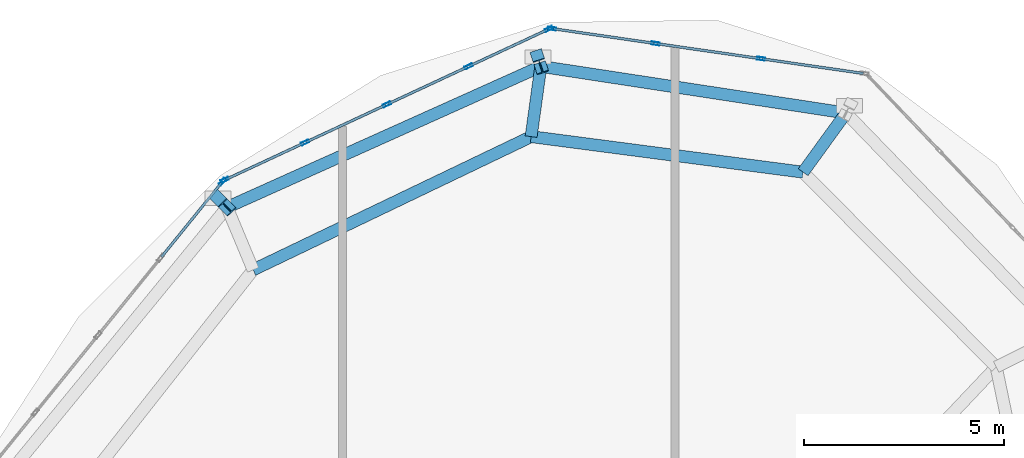
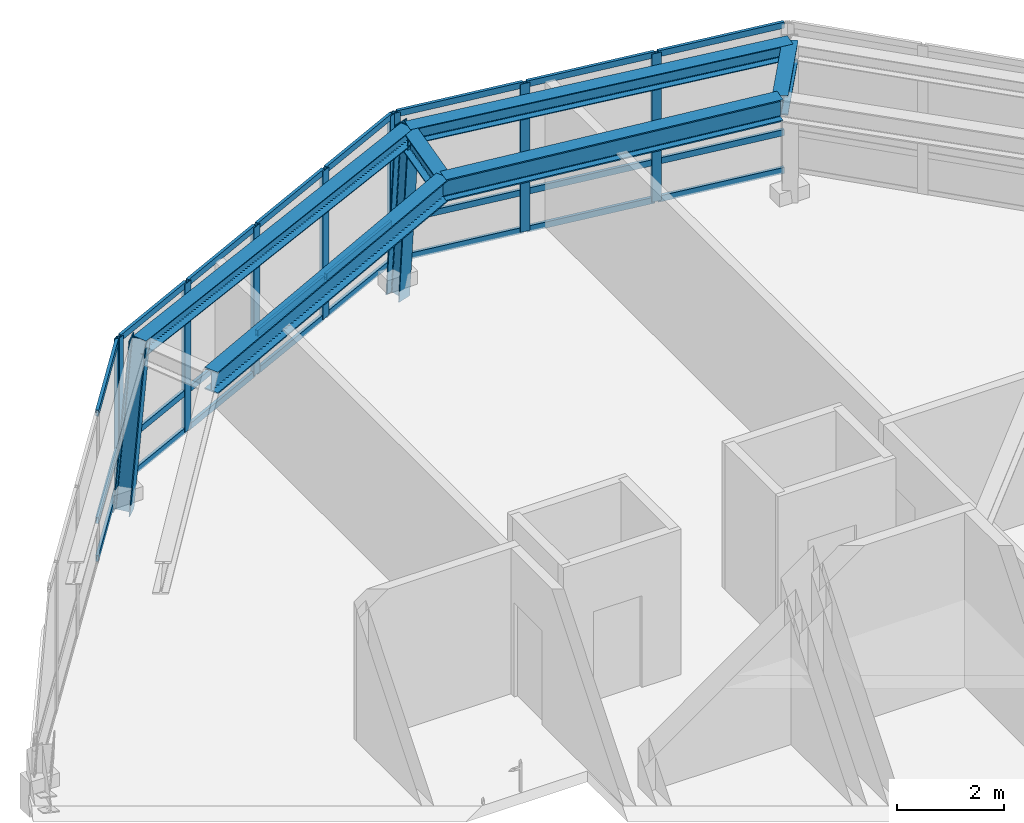
# One storey, part 9 of 14: 35 members, 6 beams, 3 elements without a shape of their own.
"""IFC4 building model written with IfcOpenShell, lengths in metres."""

from ifc_helpers import new_model, si_unit, direction, frame, origin, origin_2d, place, context, subcontext, project, spatial, hollow_rectangle, i_section, extrude, material, layer, layer_set, material_profile, profile_set, type_object, element, aggregate, save


model = new_model("IFC4")

# Units and contexts
model_context = context("Model", 3, precision=1e-05, world=origin(), true_north=direction((0.0, 1.0)))
body_context = subcontext(model_context, "Body", "Model", "MODEL_VIEW")
ifc_project = project(units=[si_unit("LENGTHUNIT", "METRE"), si_unit("AREAUNIT", "SQUARE_METRE"), si_unit("VOLUMEUNIT", "CUBIC_METRE"), si_unit("PLANEANGLEUNIT", "RADIAN"), si_unit("MASSUNIT", "GRAM", prefix="KILO"), si_unit("THERMODYNAMICTEMPERATUREUNIT", "KELVIN"), si_unit("POWERUNIT", "WATT")], contexts=[model_context])

# Site, building, storey
site_placement = place(None, origin())
site = spatial("IfcSite", under=ifc_project, at=site_placement, CompositionType="ELEMENT")
building_placement = place(site_placement, origin())
building = spatial("IfcBuilding", under=site, at=building_placement, Name="Ocrelia Relay Tower", CompositionType="ELEMENT")
storey_placement = place(building_placement, frame((0.0, 0.0, 288.0)))
storey = spatial("IfcBuildingStorey", under=building, at=storey_placement, Name="L72", CompositionType="ELEMENT", Elevation=288.0)

# Beams
ifc_material_1 = material(Name="Steel S355", Category="steel")
ifc_material_profile_1 = material_profile(ifc_material_1, i_section(OverallWidth=0.300048828125, OverallDepth=0.35009765625, WebThickness=0.010009765625, FlangeThickness=0.017578125, FilletRadius=0.027099609375, at=origin_2d()), Name="HEA 360")
ifc_profile_set_1 = profile_set([ifc_material_profile_1], Name="Steel S355")
beam_type_1 = type_object("IfcBeamType", Name="BM-HEA360", PredefinedType="SPANDREL", material=ifc_profile_set_1)
beam_1_placement = place(storey_placement, frame((42.416259765625, 42.30615234375, 3.574951171875), z_axis=(-0.988525084657, 0.151056800586, 0.0), x_axis=(-0.151056800586, -0.988525084657, 0.0)))
element("IfcBeam", 1, at=beam_1_placement, inside=storey, type_object=beam_type_1, Name="L72 Crown Faceted Ring Beam R01", PredefinedType="SPANDREL", context=body_context, shape_type="SweptSolid", body=[
    extrude(i_section(OverallWidth=0.300048828125, OverallDepth=0.35009765625, WebThickness=0.010009765625, FlangeThickness=0.017578125, FilletRadius=0.027099609375, at=origin_2d()), origin(), (0.0, 0.0, 1.0), 7.702880859375),
])
beam_2_placement = place(storey_placement, frame((34.8017578125, 43.4697265625, 3.574951171875), z_axis=(-0.9121666928, -0.409819380394, 0.0), x_axis=(0.409819380394, -0.9121666928, 0.0)))
element("IfcBeam", 2, at=beam_2_placement, inside=storey, type_object=beam_type_1, Name="L72 Crown Faceted Ring Beam R02", PredefinedType="SPANDREL", context=body_context, shape_type="SweptSolid", body=[
    extrude(i_section(OverallWidth=0.300048828125, OverallDepth=0.35009765625, WebThickness=0.010009765625, FlangeThickness=0.017578125, FilletRadius=0.027099609375, at=origin_2d()), origin(), (0.0, 0.0, 1.0), 8.583251953125),
])
ifc_material_profile_2 = material_profile(ifc_material_1, i_section(OverallWidth=0.300048828125, OverallDepth=0.449951171875, WebThickness=0.013916015625, FlangeThickness=0.02587890625, FilletRadius=0.027099609375, at=origin_2d()), Name="HEB 450")
ifc_profile_set_2 = profile_set([ifc_material_profile_2], Name="Steel S355")
beam_type_2 = type_object("IfcBeamType", Name="BM-HEB450", PredefinedType="BEAM", material=ifc_profile_set_2)
beam_3_placement = place(storey_placement, frame((42.416259765625, 42.30615234375, 3.52490234375), z_axis=(-0.587176008063, -0.809459285916, 0.0), x_axis=(0.809459285916, -0.587176008063, 0.0)))
element("IfcBeam", 3, at=beam_3_placement, inside=storey, type_object=beam_type_2, Name="L72 Crown Step Radial Beam ST01", PredefinedType="BEAM", context=body_context, shape_type="SweptSolid", body=[
    extrude(i_section(OverallWidth=0.300048828125, OverallDepth=0.449951171875, WebThickness=0.013916015625, FlangeThickness=0.02587890625, FilletRadius=0.027099609375, at=origin_2d()), origin(), (0.0, 0.0, 1.0), 1.8232421875),
])
beam_4_placement = place(storey_placement, frame((34.8017578125, 43.4697265625, 3.52490234375), z_axis=(-0.137053053163, -0.990563708511, 0.0), x_axis=(0.990563708511, -0.137053053163, 0.0)))
element("IfcBeam", 4, at=beam_4_placement, inside=storey, type_object=beam_type_2, Name="L72 Crown Step Radial Beam ST02", PredefinedType="BEAM", context=body_context, shape_type="SweptSolid", body=[
    extrude(i_section(OverallWidth=0.300048828125, OverallDepth=0.449951171875, WebThickness=0.013916015625, FlangeThickness=0.02587890625, FilletRadius=0.027099609375, at=origin_2d()), origin(), (0.0, 0.0, 1.0), 1.768798828125),
])
ifc_material_profile_3 = material_profile(ifc_material_1, i_section(OverallWidth=0.300048828125, OverallDepth=0.5, WebThickness=0.014404296875, FlangeThickness=0.028076171875, FilletRadius=0.027099609375, at=origin_2d()), Name="HEB 500")
ifc_profile_set_3 = profile_set([ifc_material_profile_3], Name="Steel S355")
beam_type_3 = type_object("IfcBeamType", Name="BM-HEB500", PredefinedType="BEAM", material=ifc_profile_set_3)
beam_5_placement = place(storey_placement, frame((41.345703125, 40.830322265625, 3.5), z_axis=(-0.991562376205, 0.129630452032, 0.0), x_axis=(-0.129630452032, -0.991562376205, 0.0)))
element("IfcBeam", 5, at=beam_5_placement, inside=storey, type_object=beam_type_3, Name="L72 Crown Step Perimeter Ring Beam SR01", PredefinedType="BEAM", context=body_context, shape_type="SweptSolid", body=[
    extrude(i_section(OverallWidth=0.300048828125, OverallDepth=0.5, WebThickness=0.014404296875, FlangeThickness=0.028076171875, FilletRadius=0.027099609375, at=origin_2d()), origin(), (0.0, 0.0, 1.0), 6.84423828125),
])
beam_6_placement = place(storey_placement, frame((34.559326171875, 41.717529296875, 3.5), z_axis=(-0.901774021488, -0.432207836775, 0.0), x_axis=(0.432207836775, -0.901774021488, 0.0)))
element("IfcBeam", 6, at=beam_6_placement, inside=storey, type_object=beam_type_3, Name="L72 Crown Step Perimeter Ring Beam SR02", PredefinedType="BEAM", context=body_context, shape_type="SweptSolid", body=[
    extrude(i_section(OverallWidth=0.300048828125, OverallDepth=0.5, WebThickness=0.014404296875, FlangeThickness=0.028076171875, FilletRadius=0.027099609375, at=origin_2d()), origin(), (0.0, 0.0, 1.0), 7.69189453125),
])

# Curtain wall, members
ifc_material_2 = material(Name="Aluminium and solar-control low-E glass", Category="aluminium")
ifc_layer = layer(ifc_material_2, 0.179931640625, Name="Aluminium and solar-control low-E glass")
ifc_layer_set = layer_set([ifc_layer], Name="Aluminium and solar-control low-E glass")
curtain_wall_type = type_object("IfcCurtainWallType", Name="CW-SYS-CROWN-PT", PredefinedType="NOTDEFINED", material=ifc_layer_set)
curtain_wall_1_placement = place(storey_placement, origin())
curtain_wall_1 = element("IfcCurtainWall", 7, at=curtain_wall_1_placement, inside=storey, type_object=curtain_wall_type, Name="L72 Faceted Glass-Point Crown Curtain Wall 01", PredefinedType="NOTDEFINED")
ifc_material_3 = material(Name="Anodised bronze aluminium", Category="aluminium")
ifc_material_profile_4 = material_profile(ifc_material_3, hollow_rectangle(XDim=0.074951171875, YDim=0.199951171875, WallThickness=0.006103515625, at=origin_2d()), Name="CW-MUL-200x75")
ifc_profile_set_4 = profile_set([ifc_material_profile_4], Name="Anodised bronze aluminium")
member_type_1 = type_object("IfcMemberType", Name="CW-SYS-CROWN-PT-MUL", PredefinedType="MULLION", material=ifc_profile_set_4)
member_1_placement = place(storey_placement, frame((40.29345703125, 43.662109375, 0.0), z_axis=(0.0, 0.0, 1.0), x_axis=(-0.142627266665, -0.989776471131, 0.0)))
member_1 = element("IfcMember", 8, at=member_1_placement, type_object=member_type_1, Name="CW-CR mullion 2", PredefinedType="MULLION", context=body_context, shape_type="SweptSolid", body=[
    extrude(hollow_rectangle(XDim=0.074951171875, YDim=0.199951171875, WallThickness=0.006103515625, at=origin_2d()), origin(), (0.0, 0.0, 1.0), 3.389892578125),
])
member_2_placement = place(storey_placement, frame((37.666015625, 44.040771484375, 0.0), z_axis=(0.0, 0.0, 1.0), x_axis=(-0.142627266665, -0.989776471131, 0.0)))
member_2 = element("IfcMember", 9, at=member_2_placement, type_object=member_type_1, Name="CW-CR mullion 3", PredefinedType="MULLION", context=body_context, shape_type="SweptSolid", body=[
    extrude(hollow_rectangle(XDim=0.074951171875, YDim=0.199951171875, WallThickness=0.006103515625, at=origin_2d()), origin(), (0.0, 0.0, 1.0), 3.389892578125),
])
member_3_placement = place(storey_placement, frame((35.075927734375, 44.4140625, 0.0), z_axis=(0.0, 0.0, 1.0), x_axis=(-0.142627266665, -0.989776471131, 0.0)))
member_3 = element("IfcMember", 10, at=member_3_placement, type_object=member_type_1, Name="CW-CR mullion 4", PredefinedType="MULLION", context=body_context, shape_type="SweptSolid", body=[
    extrude(hollow_rectangle(XDim=0.074951171875, YDim=0.199951171875, WallThickness=0.006103515625, at=origin_2d()), origin(), (0.0, 0.0, 1.0), 3.389892578125),
])

curtain_wall_2_placement = place(storey_placement, origin())
curtain_wall_2 = element("IfcCurtainWall", 11, at=curtain_wall_2_placement, inside=storey, type_object=curtain_wall_type, Name="L72 Faceted Glass-Point Crown Curtain Wall 02", PredefinedType="NOTDEFINED")
member_4_placement = place(storey_placement, frame((35.004638671875, 44.403564453125, 0.0), z_axis=(0.0, 0.0, 1.0), x_axis=(0.422115373786, -0.906542117727, 0.0)))
member_4 = element("IfcMember", 12, at=member_4_placement, type_object=member_type_1, Name="CW-CR mullion 1", PredefinedType="MULLION", context=body_context, shape_type="SweptSolid", body=[
    extrude(hollow_rectangle(XDim=0.074951171875, YDim=0.199951171875, WallThickness=0.006103515625, at=origin_2d()), origin(), (0.0, 0.0, 1.0), 3.389892578125),
])
member_5_placement = place(storey_placement, frame((32.99853515625, 43.469482421875, 0.0), z_axis=(0.0, 0.0, 1.0), x_axis=(0.422115373786, -0.906542117727, 0.0)))
member_5 = element("IfcMember", 13, at=member_5_placement, type_object=member_type_1, Name="CW-CR mullion 2", PredefinedType="MULLION", context=body_context, shape_type="SweptSolid", body=[
    extrude(hollow_rectangle(XDim=0.074951171875, YDim=0.199951171875, WallThickness=0.006103515625, at=origin_2d()), origin(), (0.0, 0.0, 1.0), 3.389892578125),
])
member_6_placement = place(storey_placement, frame((30.95849609375, 42.51953125, 0.0), z_axis=(0.0, 0.0, 1.0), x_axis=(0.422115373786, -0.906542117727, 0.0)))
member_6 = element("IfcMember", 14, at=member_6_placement, type_object=member_type_1, Name="CW-CR mullion 3", PredefinedType="MULLION", context=body_context, shape_type="SweptSolid", body=[
    extrude(hollow_rectangle(XDim=0.074951171875, YDim=0.199951171875, WallThickness=0.006103515625, at=origin_2d()), origin(), (0.0, 0.0, 1.0), 3.389892578125),
])
member_7_placement = place(storey_placement, frame((28.91845703125, 41.569580078125, 0.0), z_axis=(0.0, 0.0, 1.0), x_axis=(0.422115373786, -0.906542117727, 0.0)))
member_7 = element("IfcMember", 15, at=member_7_placement, type_object=member_type_1, Name="CW-CR mullion 4", PredefinedType="MULLION", context=body_context, shape_type="SweptSolid", body=[
    extrude(hollow_rectangle(XDim=0.074951171875, YDim=0.199951171875, WallThickness=0.006103515625, at=origin_2d()), origin(), (0.0, 0.0, 1.0), 3.389892578125),
])
member_8_placement = place(storey_placement, frame((26.912353515625, 40.635498046875, 0.0), z_axis=(0.0, 0.0, 1.0), x_axis=(0.422115373786, -0.906542117727, 0.0)))
member_8 = element("IfcMember", 16, at=member_8_placement, type_object=member_type_1, Name="CW-CR mullion 5", PredefinedType="MULLION", context=body_context, shape_type="SweptSolid", body=[
    extrude(hollow_rectangle(XDim=0.074951171875, YDim=0.199951171875, WallThickness=0.006103515625, at=origin_2d()), origin(), (0.0, 0.0, 1.0), 3.389892578125),
])

# Curtain wall, member
curtain_wall_3_placement = place(storey_placement, origin())
curtain_wall_3 = element("IfcCurtainWall", 17, at=curtain_wall_3_placement, inside=storey, type_object=curtain_wall_type, Name="L72 Faceted Glass-Point Crown Curtain Wall 03", PredefinedType="NOTDEFINED")
member_9_placement = place(storey_placement, frame((26.854736328125, 40.590576171875, 0.0), z_axis=(0.0, 0.0, 1.0), x_axis=(0.776998377229, -0.629502598711, 0.0)))
member_9 = element("IfcMember", 18, at=member_9_placement, type_object=member_type_1, Name="CW-CR mullion 1", PredefinedType="MULLION", context=body_context, shape_type="SweptSolid", body=[
    extrude(hollow_rectangle(XDim=0.074951171875, YDim=0.199951171875, WallThickness=0.006103515625, at=origin_2d()), origin(), (0.0, 0.0, 1.0), 3.389892578125),
])

# Member
ifc_material_profile_5 = material_profile(ifc_material_3, hollow_rectangle(XDim=0.06494140625, YDim=0.139892578125, WallThickness=0.0048828125, at=origin_2d()), Name="CW-TRN-140x65")
ifc_profile_set_5 = profile_set([ifc_material_profile_5], Name="Anodised bronze aluminium")
member_type_2 = type_object("IfcMemberType", Name="CW-SYS-CROWN-PT-TRN", PredefinedType="USERDEFINED", material=ifc_profile_set_5)
member_10_placement = place(storey_placement, frame((42.846435546875, 43.294189453125, 0.032470703125), z_axis=(-0.989775867312, 0.142631456862, 0.0), x_axis=(-0.142631456862, -0.989775867312, 0.0)))
member_10 = element("IfcMember", 19, at=member_10_placement, type_object=member_type_2, Name="CW-CR transom 1.1", ObjectType="TRANSOM", PredefinedType="USERDEFINED", context=body_context, shape_type="SweptSolid", body=[
    extrude(hollow_rectangle(XDim=0.06494140625, YDim=0.139892578125, WallThickness=0.0048828125, at=origin_2d()), origin(), (0.0, 0.0, 1.0), 2.541748046875),
])

member_11_placement = place(storey_placement, frame((42.846435546875, 43.294189453125, 0.89990234375), z_axis=(-0.989775867312, 0.142631456862, 0.0), x_axis=(-0.142631456862, -0.989775867312, 0.0)))
member_11 = element("IfcMember", 20, at=member_11_placement, type_object=member_type_2, Name="CW-CR transom 1.2", ObjectType="TRANSOM", PredefinedType="USERDEFINED", context=body_context, shape_type="SweptSolid", body=[
    extrude(hollow_rectangle(XDim=0.06494140625, YDim=0.139892578125, WallThickness=0.0048828125, at=origin_2d()), origin(), (0.0, 0.0, 1.0), 2.541748046875),
])

member_12_placement = place(storey_placement, frame((42.846435546875, 43.294189453125, 3.357421875), z_axis=(-0.989775867312, 0.142631456862, 0.0), x_axis=(-0.142631456862, -0.989775867312, 0.0)))
member_12 = element("IfcMember", 21, at=member_12_placement, type_object=member_type_2, Name="CW-CR transom 1.3", ObjectType="TRANSOM", PredefinedType="USERDEFINED", context=body_context, shape_type="SweptSolid", body=[
    extrude(hollow_rectangle(XDim=0.06494140625, YDim=0.139892578125, WallThickness=0.0048828125, at=origin_2d()), origin(), (0.0, 0.0, 1.0), 2.541748046875),
])

member_13_placement = place(storey_placement, frame((40.25634765625, 43.66748046875, 0.032470703125), z_axis=(-0.989776509099, 0.142627003176, 0.0), x_axis=(-0.142627003176, -0.989776509099, 0.0)))
member_13 = element("IfcMember", 22, at=member_13_placement, type_object=member_type_2, Name="CW-CR transom 2.1", ObjectType="TRANSOM", PredefinedType="USERDEFINED", context=body_context, shape_type="SweptSolid", body=[
    extrude(hollow_rectangle(XDim=0.06494140625, YDim=0.139892578125, WallThickness=0.0048828125, at=origin_2d()), origin(), (0.0, 0.0, 1.0), 2.57958984375),
])

member_14_placement = place(storey_placement, frame((40.25634765625, 43.66748046875, 0.89990234375), z_axis=(-0.989776509099, 0.142627003176, 0.0), x_axis=(-0.142627003176, -0.989776509099, 0.0)))
member_14 = element("IfcMember", 23, at=member_14_placement, type_object=member_type_2, Name="CW-CR transom 2.2", ObjectType="TRANSOM", PredefinedType="USERDEFINED", context=body_context, shape_type="SweptSolid", body=[
    extrude(hollow_rectangle(XDim=0.06494140625, YDim=0.139892578125, WallThickness=0.0048828125, at=origin_2d()), origin(), (0.0, 0.0, 1.0), 2.57958984375),
])

member_15_placement = place(storey_placement, frame((40.25634765625, 43.66748046875, 3.357421875), z_axis=(-0.989776509099, 0.142627003176, 0.0), x_axis=(-0.142627003176, -0.989776509099, 0.0)))
member_15 = element("IfcMember", 24, at=member_15_placement, type_object=member_type_2, Name="CW-CR transom 2.3", ObjectType="TRANSOM", PredefinedType="USERDEFINED", context=body_context, shape_type="SweptSolid", body=[
    extrude(hollow_rectangle(XDim=0.06494140625, YDim=0.139892578125, WallThickness=0.0048828125, at=origin_2d()), origin(), (0.0, 0.0, 1.0), 2.57958984375),
])

member_16_placement = place(storey_placement, frame((37.62890625, 44.046142578125, 0.032470703125), z_axis=(-0.989775867312, 0.142631456862, 0.0), x_axis=(-0.142631456862, -0.989775867312, 0.0)))
member_16 = element("IfcMember", 25, at=member_16_placement, type_object=member_type_2, Name="CW-CR transom 3.1", ObjectType="TRANSOM", PredefinedType="USERDEFINED", context=body_context, shape_type="SweptSolid", body=[
    extrude(hollow_rectangle(XDim=0.06494140625, YDim=0.139892578125, WallThickness=0.0048828125, at=origin_2d()), origin(), (0.0, 0.0, 1.0), 2.541748046875),
])

member_17_placement = place(storey_placement, frame((37.62890625, 44.046142578125, 0.89990234375), z_axis=(-0.989775867312, 0.142631456862, 0.0), x_axis=(-0.142631456862, -0.989775867312, 0.0)))
member_17 = element("IfcMember", 26, at=member_17_placement, type_object=member_type_2, Name="CW-CR transom 3.2", ObjectType="TRANSOM", PredefinedType="USERDEFINED", context=body_context, shape_type="SweptSolid", body=[
    extrude(hollow_rectangle(XDim=0.06494140625, YDim=0.139892578125, WallThickness=0.0048828125, at=origin_2d()), origin(), (0.0, 0.0, 1.0), 2.541748046875),
])

member_18_placement = place(storey_placement, frame((37.62890625, 44.046142578125, 3.357421875), z_axis=(-0.989775867312, 0.142631456862, 0.0), x_axis=(-0.142631456862, -0.989775867312, 0.0)))
member_18 = element("IfcMember", 27, at=member_18_placement, type_object=member_type_2, Name="CW-CR transom 3.3", ObjectType="TRANSOM", PredefinedType="USERDEFINED", context=body_context, shape_type="SweptSolid", body=[
    extrude(hollow_rectangle(XDim=0.06494140625, YDim=0.139892578125, WallThickness=0.0048828125, at=origin_2d()), origin(), (0.0, 0.0, 1.0), 2.541748046875),
])

aggregate(curtain_wall_1, [member_1, member_2, member_3, member_10, member_11, member_12, member_13, member_14, member_15, member_16, member_17, member_18])

member_19_placement = place(storey_placement, frame((34.970703125, 44.3876953125, 0.032470703125), z_axis=(-0.906550417388, -0.422097548837, 0.0), x_axis=(0.422097548837, -0.906550417388, 0.0)))
member_19 = element("IfcMember", 28, at=member_19_placement, type_object=member_type_2, Name="CW-CR transom 1.1", ObjectType="TRANSOM", PredefinedType="USERDEFINED", context=body_context, shape_type="SweptSolid", body=[
    extrude(hollow_rectangle(XDim=0.06494140625, YDim=0.139892578125, WallThickness=0.0048828125, at=origin_2d()), origin(), (0.0, 0.0, 1.0), 2.1376953125),
])

member_20_placement = place(storey_placement, frame((34.970703125, 44.3876953125, 0.89990234375), z_axis=(-0.906550417388, -0.422097548837, 0.0), x_axis=(0.422097548837, -0.906550417388, 0.0)))
member_20 = element("IfcMember", 29, at=member_20_placement, type_object=member_type_2, Name="CW-CR transom 1.2", ObjectType="TRANSOM", PredefinedType="USERDEFINED", context=body_context, shape_type="SweptSolid", body=[
    extrude(hollow_rectangle(XDim=0.06494140625, YDim=0.139892578125, WallThickness=0.0048828125, at=origin_2d()), origin(), (0.0, 0.0, 1.0), 2.1376953125),
])

member_21_placement = place(storey_placement, frame((34.970703125, 44.3876953125, 3.357421875), z_axis=(-0.906550417388, -0.422097548837, 0.0), x_axis=(0.422097548837, -0.906550417388, 0.0)))
member_21 = element("IfcMember", 30, at=member_21_placement, type_object=member_type_2, Name="CW-CR transom 1.3", ObjectType="TRANSOM", PredefinedType="USERDEFINED", context=body_context, shape_type="SweptSolid", body=[
    extrude(hollow_rectangle(XDim=0.06494140625, YDim=0.139892578125, WallThickness=0.0048828125, at=origin_2d()), origin(), (0.0, 0.0, 1.0), 2.1376953125),
])

member_22_placement = place(storey_placement, frame((32.964599609375, 43.45361328125, 0.032470703125), z_axis=(-0.906558369714, -0.422080468989, 0.0), x_axis=(0.422080468989, -0.906558369714, 0.0)))
member_22 = element("IfcMember", 31, at=member_22_placement, type_object=member_type_2, Name="CW-CR transom 2.1", ObjectType="TRANSOM", PredefinedType="USERDEFINED", context=body_context, shape_type="SweptSolid", body=[
    extrude(hollow_rectangle(XDim=0.06494140625, YDim=0.139892578125, WallThickness=0.0048828125, at=origin_2d()), origin(), (0.0, 0.0, 1.0), 2.175537109375),
])

member_23_placement = place(storey_placement, frame((32.964599609375, 43.45361328125, 0.89990234375), z_axis=(-0.906558369714, -0.422080468989, 0.0), x_axis=(0.422080468989, -0.906558369714, 0.0)))
member_23 = element("IfcMember", 32, at=member_23_placement, type_object=member_type_2, Name="CW-CR transom 2.2", ObjectType="TRANSOM", PredefinedType="USERDEFINED", context=body_context, shape_type="SweptSolid", body=[
    extrude(hollow_rectangle(XDim=0.06494140625, YDim=0.139892578125, WallThickness=0.0048828125, at=origin_2d()), origin(), (0.0, 0.0, 1.0), 2.175537109375),
])

member_24_placement = place(storey_placement, frame((32.964599609375, 43.45361328125, 3.357421875), z_axis=(-0.906558369714, -0.422080468989, 0.0), x_axis=(0.422080468989, -0.906558369714, 0.0)))
member_24 = element("IfcMember", 33, at=member_24_placement, type_object=member_type_2, Name="CW-CR transom 2.3", ObjectType="TRANSOM", PredefinedType="USERDEFINED", context=body_context, shape_type="SweptSolid", body=[
    extrude(hollow_rectangle(XDim=0.06494140625, YDim=0.139892578125, WallThickness=0.0048828125, at=origin_2d()), origin(), (0.0, 0.0, 1.0), 2.175537109375),
])

member_25_placement = place(storey_placement, frame((30.924560546875, 42.503662109375, 0.032470703125), z_axis=(-0.906558369714, -0.422080468989, 0.0), x_axis=(0.422080468989, -0.906558369714, 0.0)))
member_25 = element("IfcMember", 34, at=member_25_placement, type_object=member_type_2, Name="CW-CR transom 3.1", ObjectType="TRANSOM", PredefinedType="USERDEFINED", context=body_context, shape_type="SweptSolid", body=[
    extrude(hollow_rectangle(XDim=0.06494140625, YDim=0.139892578125, WallThickness=0.0048828125, at=origin_2d()), origin(), (0.0, 0.0, 1.0), 2.175537109375),
])

member_26_placement = place(storey_placement, frame((30.924560546875, 42.503662109375, 0.89990234375), z_axis=(-0.906558369714, -0.422080468989, 0.0), x_axis=(0.422080468989, -0.906558369714, 0.0)))
member_26 = element("IfcMember", 35, at=member_26_placement, type_object=member_type_2, Name="CW-CR transom 3.2", ObjectType="TRANSOM", PredefinedType="USERDEFINED", context=body_context, shape_type="SweptSolid", body=[
    extrude(hollow_rectangle(XDim=0.06494140625, YDim=0.139892578125, WallThickness=0.0048828125, at=origin_2d()), origin(), (0.0, 0.0, 1.0), 2.175537109375),
])

member_27_placement = place(storey_placement, frame((30.924560546875, 42.503662109375, 3.357421875), z_axis=(-0.906558369714, -0.422080468989, 0.0), x_axis=(0.422080468989, -0.906558369714, 0.0)))
member_27 = element("IfcMember", 36, at=member_27_placement, type_object=member_type_2, Name="CW-CR transom 3.3", ObjectType="TRANSOM", PredefinedType="USERDEFINED", context=body_context, shape_type="SweptSolid", body=[
    extrude(hollow_rectangle(XDim=0.06494140625, YDim=0.139892578125, WallThickness=0.0048828125, at=origin_2d()), origin(), (0.0, 0.0, 1.0), 2.175537109375),
])

member_28_placement = place(storey_placement, frame((28.884521484375, 41.5537109375, 0.032470703125), z_axis=(-0.906570761516, -0.422053852445, 0.0), x_axis=(0.422053852445, -0.906570761516, 0.0)))
member_28 = element("IfcMember", 37, at=member_28_placement, type_object=member_type_2, Name="CW-CR transom 4.1", ObjectType="TRANSOM", PredefinedType="USERDEFINED", context=body_context, shape_type="SweptSolid", body=[
    extrude(hollow_rectangle(XDim=0.06494140625, YDim=0.139892578125, WallThickness=0.0048828125, at=origin_2d()), origin(), (0.0, 0.0, 1.0), 2.137939453125),
])

member_29_placement = place(storey_placement, frame((28.884521484375, 41.5537109375, 0.89990234375), z_axis=(-0.906570761516, -0.422053852445, 0.0), x_axis=(0.422053852445, -0.906570761516, 0.0)))
member_29 = element("IfcMember", 38, at=member_29_placement, type_object=member_type_2, Name="CW-CR transom 4.2", ObjectType="TRANSOM", PredefinedType="USERDEFINED", context=body_context, shape_type="SweptSolid", body=[
    extrude(hollow_rectangle(XDim=0.06494140625, YDim=0.139892578125, WallThickness=0.0048828125, at=origin_2d()), origin(), (0.0, 0.0, 1.0), 2.137939453125),
])

member_30_placement = place(storey_placement, frame((28.884521484375, 41.5537109375, 3.357421875), z_axis=(-0.906570761516, -0.422053852445, 0.0), x_axis=(0.422053852445, -0.906570761516, 0.0)))
member_30 = element("IfcMember", 39, at=member_30_placement, type_object=member_type_2, Name="CW-CR transom 4.3", ObjectType="TRANSOM", PredefinedType="USERDEFINED", context=body_context, shape_type="SweptSolid", body=[
    extrude(hollow_rectangle(XDim=0.06494140625, YDim=0.139892578125, WallThickness=0.0048828125, at=origin_2d()), origin(), (0.0, 0.0, 1.0), 2.137939453125),
])

aggregate(curtain_wall_2, [member_4, member_5, member_6, member_7, member_8, member_19, member_20, member_21, member_22, member_23, member_24, member_25, member_26, member_27, member_28, member_29, member_30])

member_31_placement = place(storey_placement, frame((26.831298828125, 40.5615234375, 0.032470703125), z_axis=(-0.629518119404, -0.776985802536, 0.0), x_axis=(0.776985802536, -0.629518119404, 0.0)))
member_31 = element("IfcMember", 40, at=member_31_placement, type_object=member_type_2, Name="CW-CR transom 1.1", ObjectType="TRANSOM", PredefinedType="USERDEFINED", context=body_context, shape_type="SweptSolid", body=[
    extrude(hollow_rectangle(XDim=0.06494140625, YDim=0.139892578125, WallThickness=0.0048828125, at=origin_2d()), origin(), (0.0, 0.0, 1.0), 2.370849609375),
])

member_32_placement = place(storey_placement, frame((26.831298828125, 40.5615234375, 0.89990234375), z_axis=(-0.629518119404, -0.776985802536, 0.0), x_axis=(0.776985802536, -0.629518119404, 0.0)))
member_32 = element("IfcMember", 41, at=member_32_placement, type_object=member_type_2, Name="CW-CR transom 1.2", ObjectType="TRANSOM", PredefinedType="USERDEFINED", context=body_context, shape_type="SweptSolid", body=[
    extrude(hollow_rectangle(XDim=0.06494140625, YDim=0.139892578125, WallThickness=0.0048828125, at=origin_2d()), origin(), (0.0, 0.0, 1.0), 2.370849609375),
])

member_33_placement = place(storey_placement, frame((26.831298828125, 40.5615234375, 3.357421875), z_axis=(-0.629518119404, -0.776985802536, 0.0), x_axis=(0.776985802536, -0.629518119404, 0.0)))
member_33 = element("IfcMember", 42, at=member_33_placement, type_object=member_type_2, Name="CW-CR transom 1.3", ObjectType="TRANSOM", PredefinedType="USERDEFINED", context=body_context, shape_type="SweptSolid", body=[
    extrude(hollow_rectangle(XDim=0.06494140625, YDim=0.139892578125, WallThickness=0.0048828125, at=origin_2d()), origin(), (0.0, 0.0, 1.0), 2.370849609375),
])

aggregate(curtain_wall_3, [member_9, member_31, member_32, member_33])

# Members
ifc_material_profile_6 = material_profile(ifc_material_1, i_section(OverallWidth=0.300048828125, OverallDepth=0.340087890625, WebThickness=0.011962890625, FlangeThickness=0.021484375, FilletRadius=0.027099609375, at=origin_2d()), Name="HEB 340")
ifc_profile_set_6 = profile_set([ifc_material_profile_6], Name="Steel S355")
member_type_3 = type_object("IfcMemberType", Name="MB-CROWN-RIB", PredefinedType="STRUT", material=ifc_profile_set_6)
member_34_placement = place(storey_placement, frame((34.7255859375, 43.703857421875, -0.25), z_axis=(0.019006996758, -0.058422147087, 0.998111009259), x_axis=(0.950939292859, 0.309377538448, 0.0)))
element("IfcMember", 43, at=member_34_placement, inside=storey, type_object=member_type_3, Name="L72 Crown Faceted Structural Strut Rib CR02", PredefinedType="STRUT", context=body_context, shape_type="SweptSolid", body=[
    extrude(i_section(OverallWidth=0.300048828125, OverallDepth=0.340087890625, WebThickness=0.011962890625, FlangeThickness=0.021484375, FilletRadius=0.027099609375, at=origin_2d()), origin(), (0.0, 0.0, 1.0), 4.007568359375),
])
member_35_placement = place(storey_placement, frame((26.7490234375, 40.18017578125, -0.25), z_axis=(0.055670176399, -0.056826169133, 0.996830787025), x_axis=(0.714335173314, 0.699803729746, 0.0)))
element("IfcMember", 44, at=member_35_placement, inside=storey, type_object=member_type_3, Name="L72 Crown Faceted Structural Strut Rib CR03", PredefinedType="STRUT", context=body_context, shape_type="SweptSolid", body=[
    extrude(i_section(OverallWidth=0.300048828125, OverallDepth=0.340087890625, WebThickness=0.011962890625, FlangeThickness=0.021484375, FilletRadius=0.027099609375, at=origin_2d()), origin(), (0.0, 0.0, 1.0), 4.0126953125),
])

save(model, "model.ifc")
